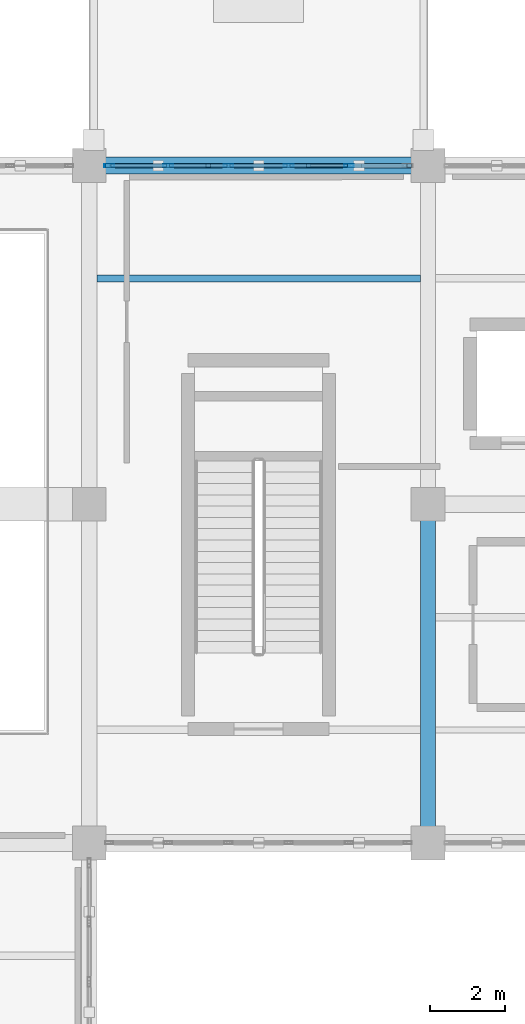
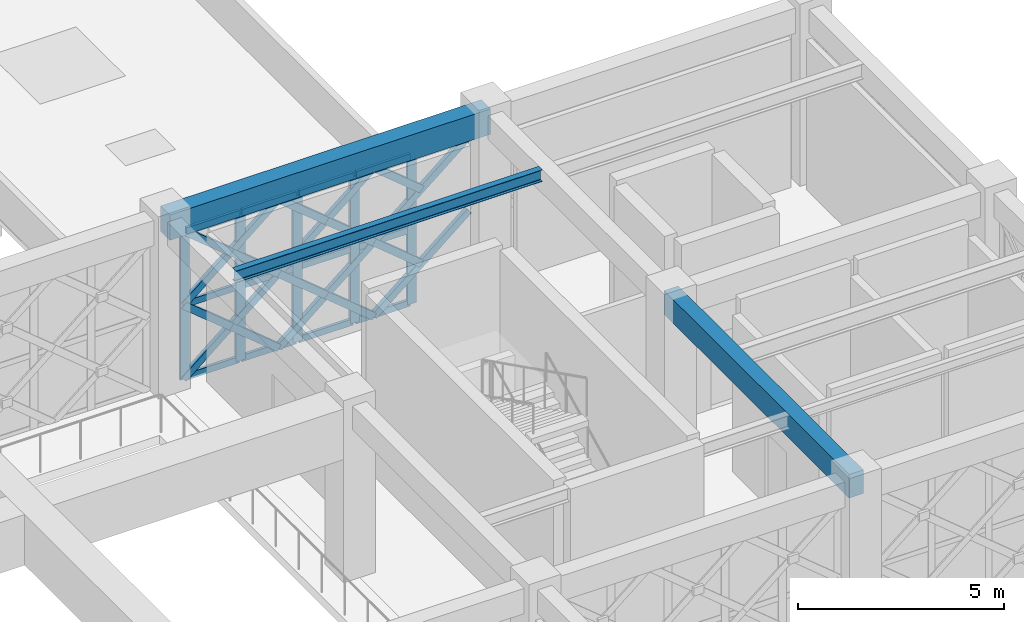
# One storey, part 99 of 155: 33 members, 3 beams, 1 element without a shape of its own.
"""IFC4 building model written with IfcOpenShell, lengths in metres."""

from ifc_helpers import new_model, si_unit, direction, frame, origin, origin_2d, place, context, subcontext, project, spatial, rectangle, hollow_rectangle, i_section, extrude, material, material_profile, profile_set, type_object, element, aggregate, save


model = new_model("IFC4")

# Units and contexts
model_context = context("Model", 3, precision=1e-05, world=origin(), true_north=direction((0.0, 1.0)))
body_context = subcontext(model_context, "Body", "Model", "MODEL_VIEW")
ifc_project = project(units=[si_unit("LENGTHUNIT", "METRE"), si_unit("AREAUNIT", "SQUARE_METRE"), si_unit("VOLUMEUNIT", "CUBIC_METRE"), si_unit("PLANEANGLEUNIT", "RADIAN"), si_unit("MASSUNIT", "GRAM", prefix="KILO")], contexts=[model_context])

# Site, building, storey
site_placement = place(None, origin())
site = spatial("IfcSite", under=ifc_project, at=site_placement, CompositionType="ELEMENT")
building_placement = place(site_placement, origin())
building = spatial("IfcBuilding", under=site, at=building_placement, Name="Haizhuo Lancet Aquarium", CompositionType="ELEMENT")
storey_placement = place(building_placement, frame((0.0, 0.0, 10.800048828125)))
storey = spatial("IfcBuildingStorey", under=building, at=storey_placement, Name="L02", CompositionType="ELEMENT", Elevation=10.800048828125)

# Beams
ifc_material_1 = material(Name="Concrete C40/50", Category="concrete")
ifc_material_profile_1 = material_profile(ifc_material_1, rectangle(XDim=0.39990234375, YDim=0.699951171875, at=origin_2d()), Name="RC-BM 400x700")
ifc_profile_set_1 = profile_set([ifc_material_profile_1], Name="Concrete C40/50")
beam_type_1 = type_object("IfcBeamType", Name="BM-RC-400x700", PredefinedType="BEAM", material=ifc_profile_set_1)
beam_1_placement = place(storey_placement, frame((63.0, -27.0, 4.81005859375), z_axis=(0.0, 1.0, 0.0), x_axis=(-1.0, 0.0, 0.0)))
element("IfcBeam", 1, at=beam_1_placement, inside=storey, type_object=beam_type_1, Name="L02 V3 primary girder BM-L02-V3-022", PredefinedType="BEAM", context=body_context, shape_type="SweptSolid", body=[
    extrude(rectangle(XDim=0.39990234375, YDim=0.699951171875, at=origin_2d()), origin(), (0.0, 0.0, 1.0), 9.0),
])
ifc_material_profile_2 = material_profile(ifc_material_1, rectangle(XDim=0.449951171875, YDim=0.75, at=origin_2d()), Name="RC-BM 450x750")
ifc_profile_set_2 = profile_set([ifc_material_profile_2], Name="Concrete C40/50")
beam_type_2 = type_object("IfcBeamType", Name="BM-RC-450x750", PredefinedType="BEAM", material=ifc_profile_set_2)
beam_2_placement = place(storey_placement, frame((54.0, -9.0, 4.784912109375), z_axis=(1.0, 0.0, 0.0), x_axis=(0.0, 1.0, 0.0)))
element("IfcBeam", 2, at=beam_2_placement, inside=storey, type_object=beam_type_2, Name="L02 V3 primary girder BM-L02-V3-021", PredefinedType="BEAM", context=body_context, shape_type="SweptSolid", body=[
    extrude(rectangle(XDim=0.449951171875, YDim=0.75, at=origin_2d()), origin(), (0.0, 0.0, 1.0), 9.0),
])

# Curtain wall, members
ifc_material_2 = material(Name="Aluminium 6063-T6", Category="aluminium")
curtain_wall_type = type_object("IfcCurtainWallType", Name="CWO-8010x4410", PredefinedType="NOTDEFINED", material=ifc_material_2)
curtain_wall_placement = place(storey_placement, origin())
curtain_wall = element("IfcCurtainWall", 3, at=curtain_wall_placement, inside=storey, type_object=curtain_wall_type, Name="L02 curtain wall CW-V3-L02-054", PredefinedType="NOTDEFINED")
ifc_material_profile_3 = material_profile(ifc_material_2, hollow_rectangle(XDim=0.080078125, YDim=0.260009765625, WallThickness=0.0048828125, at=origin_2d()), Name="ALU-M 80x260x5")
ifc_profile_set_3 = profile_set([ifc_material_profile_3], Name="Aluminium 6063-T6")
member_type_1 = type_object("IfcMemberType", Name="CW-MUL-3", PredefinedType="MULLION", material=ifc_profile_set_3)
member_1_placement = place(storey_placement, frame((54.534912109375, -9.0, 0.0), z_axis=(0.0, 0.0, 1.0), x_axis=(0.0, 1.0, 0.0)))
member_1 = element("IfcMember", 4, at=member_1_placement, type_object=member_type_1, Name="CWO-80x44 mullion 1", PredefinedType="MULLION", context=body_context, shape_type="SweptSolid", body=[
    extrude(hollow_rectangle(XDim=0.080078125, YDim=0.260009765625, WallThickness=0.0048828125, at=origin_2d()), origin(), (0.0, 0.0, 1.0), 4.409912109375),
])
member_2_placement = place(storey_placement, frame((56.096923828125, -9.0, 0.0), z_axis=(0.0, 0.0, 1.0), x_axis=(0.0, 1.0, 0.0)))
member_2 = element("IfcMember", 5, at=member_2_placement, type_object=member_type_1, Name="CWO-80x44 mullion 2", PredefinedType="MULLION", context=body_context, shape_type="SweptSolid", body=[
    extrude(hollow_rectangle(XDim=0.080078125, YDim=0.260009765625, WallThickness=0.0048828125, at=origin_2d()), origin(), (0.0, 0.0, 1.0), 4.409912109375),
])
member_3_placement = place(storey_placement, frame((57.698974609375, -9.0, 0.0), z_axis=(0.0, 0.0, 1.0), x_axis=(0.0, 1.0, 0.0)))
member_3 = element("IfcMember", 6, at=member_3_placement, type_object=member_type_1, Name="CWO-80x44 mullion 3", PredefinedType="MULLION", context=body_context, shape_type="SweptSolid", body=[
    extrude(hollow_rectangle(XDim=0.080078125, YDim=0.260009765625, WallThickness=0.0048828125, at=origin_2d()), origin(), (0.0, 0.0, 1.0), 4.409912109375),
])
member_4_placement = place(storey_placement, frame((59.301025390625, -9.0, 0.0), z_axis=(0.0, 0.0, 1.0), x_axis=(0.0, 1.0, 0.0)))
member_4 = element("IfcMember", 7, at=member_4_placement, type_object=member_type_1, Name="CWO-80x44 mullion 4", PredefinedType="MULLION", context=body_context, shape_type="SweptSolid", body=[
    extrude(hollow_rectangle(XDim=0.080078125, YDim=0.260009765625, WallThickness=0.0048828125, at=origin_2d()), origin(), (0.0, 0.0, 1.0), 4.409912109375),
])
member_5_placement = place(storey_placement, frame((60.903076171875, -9.0, 0.0), z_axis=(0.0, 0.0, 1.0), x_axis=(0.0, 1.0, 0.0)))
member_5 = element("IfcMember", 8, at=member_5_placement, type_object=member_type_1, Name="CWO-80x44 mullion 5", PredefinedType="MULLION", context=body_context, shape_type="SweptSolid", body=[
    extrude(hollow_rectangle(XDim=0.080078125, YDim=0.260009765625, WallThickness=0.0048828125, at=origin_2d()), origin(), (0.0, 0.0, 1.0), 4.409912109375),
])
ifc_material_profile_4 = material_profile(ifc_material_2, hollow_rectangle(XDim=0.080078125, YDim=0.18994140625, WallThickness=0.0048828125, at=origin_2d()), Name="ALU-T 80x190x5")
ifc_profile_set_4 = profile_set([ifc_material_profile_4], Name="Aluminium 6063-T6")
member_type_2 = type_object("IfcMemberType", Name="CW-TRN-3", PredefinedType="NOTDEFINED", material=ifc_profile_set_4)
member_6_placement = place(storey_placement, frame((54.574951171875, -9.0, 0.0400390625), z_axis=(1.0, 0.0, 0.0), x_axis=(0.0, 1.0, 0.0)))
member_6 = element("IfcMember", 9, at=member_6_placement, type_object=member_type_2, Name="CWO-80x44 transom 1.1", ObjectType="TRANSOM", PredefinedType="USERDEFINED", context=body_context, shape_type="SweptSolid", body=[
    extrude(hollow_rectangle(XDim=0.080078125, YDim=0.18994140625, WallThickness=0.0048828125, at=origin_2d()), origin(), (0.0, 0.0, 1.0), 1.48193359375),
])
member_7_placement = place(storey_placement, frame((54.574951171875, -9.0, 2.204833984375), z_axis=(1.0, 0.0, 0.0), x_axis=(0.0, 1.0, 0.0)))
member_7 = element("IfcMember", 10, at=member_7_placement, type_object=member_type_2, Name="CWO-80x44 transom 1.2", ObjectType="TRANSOM", PredefinedType="USERDEFINED", context=body_context, shape_type="SweptSolid", body=[
    extrude(hollow_rectangle(XDim=0.080078125, YDim=0.18994140625, WallThickness=0.0048828125, at=origin_2d()), origin(), (0.0, 0.0, 1.0), 1.48193359375),
])
member_8_placement = place(storey_placement, frame((54.574951171875, -9.0, 4.369873046875), z_axis=(1.0, 0.0, 0.0), x_axis=(0.0, 1.0, 0.0)))
member_8 = element("IfcMember", 11, at=member_8_placement, type_object=member_type_2, Name="CWO-80x44 transom 1.3", ObjectType="TRANSOM", PredefinedType="USERDEFINED", context=body_context, shape_type="SweptSolid", body=[
    extrude(hollow_rectangle(XDim=0.080078125, YDim=0.18994140625, WallThickness=0.0048828125, at=origin_2d()), origin(), (0.0, 0.0, 1.0), 1.48193359375),
])
member_9_placement = place(storey_placement, frame((56.136962890625, -9.0, 0.0400390625), z_axis=(1.0, 0.0, 0.0), x_axis=(0.0, 1.0, 0.0)))
member_9 = element("IfcMember", 12, at=member_9_placement, type_object=member_type_2, Name="CWO-80x44 transom 2.1", ObjectType="TRANSOM", PredefinedType="USERDEFINED", context=body_context, shape_type="SweptSolid", body=[
    extrude(hollow_rectangle(XDim=0.080078125, YDim=0.18994140625, WallThickness=0.0048828125, at=origin_2d()), origin(), (0.0, 0.0, 1.0), 1.52197265625),
])
member_10_placement = place(storey_placement, frame((56.136962890625, -9.0, 2.204833984375), z_axis=(1.0, 0.0, 0.0), x_axis=(0.0, 1.0, 0.0)))
member_10 = element("IfcMember", 13, at=member_10_placement, type_object=member_type_2, Name="CWO-80x44 transom 2.2", ObjectType="TRANSOM", PredefinedType="USERDEFINED", context=body_context, shape_type="SweptSolid", body=[
    extrude(hollow_rectangle(XDim=0.080078125, YDim=0.18994140625, WallThickness=0.0048828125, at=origin_2d()), origin(), (0.0, 0.0, 1.0), 1.52197265625),
])
member_11_placement = place(storey_placement, frame((56.136962890625, -9.0, 4.369873046875), z_axis=(1.0, 0.0, 0.0), x_axis=(0.0, 1.0, 0.0)))
member_11 = element("IfcMember", 14, at=member_11_placement, type_object=member_type_2, Name="CWO-80x44 transom 2.3", ObjectType="TRANSOM", PredefinedType="USERDEFINED", context=body_context, shape_type="SweptSolid", body=[
    extrude(hollow_rectangle(XDim=0.080078125, YDim=0.18994140625, WallThickness=0.0048828125, at=origin_2d()), origin(), (0.0, 0.0, 1.0), 1.52197265625),
])
member_12_placement = place(storey_placement, frame((57.739013671875, -9.0, 0.0400390625), z_axis=(1.0, 0.0, 0.0), x_axis=(0.0, 1.0, 0.0)))
member_12 = element("IfcMember", 15, at=member_12_placement, type_object=member_type_2, Name="CWO-80x44 transom 3.1", ObjectType="TRANSOM", PredefinedType="USERDEFINED", context=body_context, shape_type="SweptSolid", body=[
    extrude(hollow_rectangle(XDim=0.080078125, YDim=0.18994140625, WallThickness=0.0048828125, at=origin_2d()), origin(), (0.0, 0.0, 1.0), 1.52197265625),
])
member_13_placement = place(storey_placement, frame((57.739013671875, -9.0, 2.204833984375), z_axis=(1.0, 0.0, 0.0), x_axis=(0.0, 1.0, 0.0)))
member_13 = element("IfcMember", 16, at=member_13_placement, type_object=member_type_2, Name="CWO-80x44 transom 3.2", ObjectType="TRANSOM", PredefinedType="USERDEFINED", context=body_context, shape_type="SweptSolid", body=[
    extrude(hollow_rectangle(XDim=0.080078125, YDim=0.18994140625, WallThickness=0.0048828125, at=origin_2d()), origin(), (0.0, 0.0, 1.0), 1.52197265625),
])
member_14_placement = place(storey_placement, frame((57.739013671875, -9.0, 4.369873046875), z_axis=(1.0, 0.0, 0.0), x_axis=(0.0, 1.0, 0.0)))
member_14 = element("IfcMember", 17, at=member_14_placement, type_object=member_type_2, Name="CWO-80x44 transom 3.3", ObjectType="TRANSOM", PredefinedType="USERDEFINED", context=body_context, shape_type="SweptSolid", body=[
    extrude(hollow_rectangle(XDim=0.080078125, YDim=0.18994140625, WallThickness=0.0048828125, at=origin_2d()), origin(), (0.0, 0.0, 1.0), 1.52197265625),
])
member_15_placement = place(storey_placement, frame((59.341064453125, -9.0, 0.0400390625), z_axis=(1.0, 0.0, 0.0), x_axis=(0.0, 1.0, 0.0)))
member_15 = element("IfcMember", 18, at=member_15_placement, type_object=member_type_2, Name="CWO-80x44 transom 4.1", ObjectType="TRANSOM", PredefinedType="USERDEFINED", context=body_context, shape_type="SweptSolid", body=[
    extrude(hollow_rectangle(XDim=0.080078125, YDim=0.18994140625, WallThickness=0.0048828125, at=origin_2d()), origin(), (0.0, 0.0, 1.0), 1.52197265625),
])
member_16_placement = place(storey_placement, frame((59.341064453125, -9.0, 2.204833984375), z_axis=(1.0, 0.0, 0.0), x_axis=(0.0, 1.0, 0.0)))
member_16 = element("IfcMember", 19, at=member_16_placement, type_object=member_type_2, Name="CWO-80x44 transom 4.2", ObjectType="TRANSOM", PredefinedType="USERDEFINED", context=body_context, shape_type="SweptSolid", body=[
    extrude(hollow_rectangle(XDim=0.080078125, YDim=0.18994140625, WallThickness=0.0048828125, at=origin_2d()), origin(), (0.0, 0.0, 1.0), 1.52197265625),
])
member_17_placement = place(storey_placement, frame((59.341064453125, -9.0, 4.369873046875), z_axis=(1.0, 0.0, 0.0), x_axis=(0.0, 1.0, 0.0)))
member_17 = element("IfcMember", 20, at=member_17_placement, type_object=member_type_2, Name="CWO-80x44 transom 4.3", ObjectType="TRANSOM", PredefinedType="USERDEFINED", context=body_context, shape_type="SweptSolid", body=[
    extrude(hollow_rectangle(XDim=0.080078125, YDim=0.18994140625, WallThickness=0.0048828125, at=origin_2d()), origin(), (0.0, 0.0, 1.0), 1.52197265625),
])
aggregate(curtain_wall, [member_1, member_2, member_3, member_4, member_5, member_6, member_7, member_8, member_9, member_10, member_11, member_12, member_13, member_14, member_15, member_16, member_17])

# Beam
ifc_material_3 = material(Name="Steel S355", Category="steel")
ifc_material_profile_5 = material_profile(ifc_material_3, i_section(OverallWidth=0.175048828125, OverallDepth=0.35009765625, WebThickness=0.007080078125, FlangeThickness=0.010986328125, FilletRadius=0.013916015625, at=origin_2d()), Name="HN 350x175x7x11")
ifc_profile_set_5 = profile_set([ifc_material_profile_5], Name="Steel S355")
beam_type_3 = type_object("IfcBeamType", Name="JST-ST-HN350", PredefinedType="JOIST", material=ifc_profile_set_5)
beam_3_placement = place(storey_placement, frame((54.199951171875, -12.0, 4.98486328125), z_axis=(1.0, 0.0, 0.0), x_axis=(0.0, 1.0, 0.0)))
element("IfcBeam", 21, at=beam_3_placement, inside=storey, type_object=beam_type_3, Name="L02 V3 secondary floor joist 10", PredefinedType="JOIST", context=body_context, shape_type="SweptSolid", body=[
    extrude(i_section(OverallWidth=0.175048828125, OverallDepth=0.35009765625, WebThickness=0.007080078125, FlangeThickness=0.010986328125, FilletRadius=0.013916015625, at=origin_2d()), origin(), (0.0, 0.0, 1.0), 8.60009765625),
])

# Members
ifc_material_profile_6 = material_profile(ifc_material_3, hollow_rectangle(XDim=0.1201171875, YDim=0.199951171875, WallThickness=0.008056640625, at=origin_2d()), Name="RHS 120x200x8")
ifc_profile_set_6 = profile_set([ifc_material_profile_6], Name="Steel S355")
member_type_3 = type_object("IfcMemberType", Name="MEM-LB-RHS120x200", PredefinedType="BRACE", material=ifc_profile_set_6)
member_18_placement = place(storey_placement, frame((54.4951171875, -9.0, 0.0), z_axis=(0.771068610934, 0.0, 0.636752068887), x_axis=(0.0, 1.0, 0.0)))
element("IfcMember", 22, at=member_18_placement, inside=storey, type_object=member_type_3, Name="Gothic lancet continuous diagonal brace CW-V3-L02-054 1A", PredefinedType="BRACE", context=body_context, shape_type="SweptSolid", body=[
    extrude(hollow_rectangle(XDim=0.1201171875, YDim=0.199951171875, WallThickness=0.008056640625, at=origin_2d()), origin(), (0.0, 0.0, 1.0), 3.462646484375),
])
member_19_placement = place(storey_placement, frame((57.1650390625, -9.0, 0.0), z_axis=(-0.771172467693, 0.0, 0.63662628368), x_axis=(0.0, -1.0, 0.0)))
element("IfcMember", 23, at=member_19_placement, inside=storey, type_object=member_type_3, Name="Gothic lancet split diagonal brace CW-V3-L02-054 1B1", PredefinedType="BRACE", context=body_context, shape_type="SweptSolid", body=[
    extrude(hollow_rectangle(XDim=0.1201171875, YDim=0.199951171875, WallThickness=0.008056640625, at=origin_2d()), origin(), (0.0, 0.0, 1.0), 1.731201171875),
])
member_20_placement = place(storey_placement, frame((55.830078125, -9.0, 1.10205078125), z_axis=(-0.77096476164, 0.0, 0.636877803279), x_axis=(0.0, -1.0, 0.0)))
element("IfcMember", 24, at=member_20_placement, inside=storey, type_object=member_type_3, Name="Gothic lancet split diagonal brace CW-V3-L02-054 1B2", PredefinedType="BRACE", context=body_context, shape_type="SweptSolid", body=[
    extrude(hollow_rectangle(XDim=0.1201171875, YDim=0.199951171875, WallThickness=0.008056640625, at=origin_2d()), origin(), (0.0, 0.0, 1.0), 1.7314453125),
])
member_21_placement = place(storey_placement, frame((54.4951171875, -9.0, 2.204833984375), z_axis=(0.771033993673, 0.0, 0.636793985996), x_axis=(0.0, 1.0, 0.0)))
element("IfcMember", 25, at=member_21_placement, inside=storey, type_object=member_type_3, Name="Gothic lancet continuous diagonal brace CW-V3-L02-054 2A", PredefinedType="BRACE", context=body_context, shape_type="SweptSolid", body=[
    extrude(hollow_rectangle(XDim=0.1201171875, YDim=0.199951171875, WallThickness=0.008056640625, at=origin_2d()), origin(), (0.0, 0.0, 1.0), 3.462890625),
])
member_22_placement = place(storey_placement, frame((57.1650390625, -9.0, 2.204833984375), z_axis=(-0.770895532931, 0.0, 0.636961597985), x_axis=(0.0, -1.0, 0.0)))
element("IfcMember", 26, at=member_22_placement, inside=storey, type_object=member_type_3, Name="Gothic lancet split diagonal brace CW-V3-L02-054 2B1", PredefinedType="BRACE", context=body_context, shape_type="SweptSolid", body=[
    extrude(hollow_rectangle(XDim=0.1201171875, YDim=0.199951171875, WallThickness=0.008056640625, at=origin_2d()), origin(), (0.0, 0.0, 1.0), 1.731689453125),
])
member_23_placement = place(storey_placement, frame((55.830078125, -9.0, 3.307861328125), z_axis=(-0.771172467693, 0.0, 0.63662628368), x_axis=(0.0, -1.0, 0.0)))
element("IfcMember", 27, at=member_23_placement, inside=storey, type_object=member_type_3, Name="Gothic lancet split diagonal brace CW-V3-L02-054 2B2", PredefinedType="BRACE", context=body_context, shape_type="SweptSolid", body=[
    extrude(hollow_rectangle(XDim=0.1201171875, YDim=0.199951171875, WallThickness=0.008056640625, at=origin_2d()), origin(), (0.0, 0.0, 1.0), 1.731201171875),
])
member_24_placement = place(storey_placement, frame((57.1650390625, -9.0, 0.0), z_axis=(0.771068610934, 0.0, 0.636752068887), x_axis=(0.0, 1.0, 0.0)))
element("IfcMember", 28, at=member_24_placement, inside=storey, type_object=member_type_3, Name="Gothic lancet continuous diagonal brace CW-V3-L02-054 3A", PredefinedType="BRACE", context=body_context, shape_type="SweptSolid", body=[
    extrude(hollow_rectangle(XDim=0.1201171875, YDim=0.199951171875, WallThickness=0.008056640625, at=origin_2d()), origin(), (0.0, 0.0, 1.0), 3.462646484375),
])
member_25_placement = place(storey_placement, frame((59.8349609375, -9.0, 0.0), z_axis=(-0.771172467693, 0.0, 0.63662628368), x_axis=(0.0, -1.0, 0.0)))
element("IfcMember", 29, at=member_25_placement, inside=storey, type_object=member_type_3, Name="Gothic lancet split diagonal brace CW-V3-L02-054 3B1", PredefinedType="BRACE", context=body_context, shape_type="SweptSolid", body=[
    extrude(hollow_rectangle(XDim=0.1201171875, YDim=0.199951171875, WallThickness=0.008056640625, at=origin_2d()), origin(), (0.0, 0.0, 1.0), 1.731201171875),
])
member_26_placement = place(storey_placement, frame((58.5, -9.0, 1.10205078125), z_axis=(-0.77096476164, 0.0, 0.636877803279), x_axis=(0.0, -1.0, 0.0)))
element("IfcMember", 30, at=member_26_placement, inside=storey, type_object=member_type_3, Name="Gothic lancet split diagonal brace CW-V3-L02-054 3B2", PredefinedType="BRACE", context=body_context, shape_type="SweptSolid", body=[
    extrude(hollow_rectangle(XDim=0.1201171875, YDim=0.199951171875, WallThickness=0.008056640625, at=origin_2d()), origin(), (0.0, 0.0, 1.0), 1.7314453125),
])
member_27_placement = place(storey_placement, frame((57.1650390625, -9.0, 2.204833984375), z_axis=(0.771033993673, 0.0, 0.636793985996), x_axis=(0.0, 1.0, 0.0)))
element("IfcMember", 31, at=member_27_placement, inside=storey, type_object=member_type_3, Name="Gothic lancet continuous diagonal brace CW-V3-L02-054 4A", PredefinedType="BRACE", context=body_context, shape_type="SweptSolid", body=[
    extrude(hollow_rectangle(XDim=0.1201171875, YDim=0.199951171875, WallThickness=0.008056640625, at=origin_2d()), origin(), (0.0, 0.0, 1.0), 3.462890625),
])
member_28_placement = place(storey_placement, frame((59.8349609375, -9.0, 2.204833984375), z_axis=(-0.770895532931, 0.0, 0.636961597985), x_axis=(0.0, -1.0, 0.0)))
element("IfcMember", 32, at=member_28_placement, inside=storey, type_object=member_type_3, Name="Gothic lancet split diagonal brace CW-V3-L02-054 4B1", PredefinedType="BRACE", context=body_context, shape_type="SweptSolid", body=[
    extrude(hollow_rectangle(XDim=0.1201171875, YDim=0.199951171875, WallThickness=0.008056640625, at=origin_2d()), origin(), (0.0, 0.0, 1.0), 1.731689453125),
])
member_29_placement = place(storey_placement, frame((58.5, -9.0, 3.307861328125), z_axis=(-0.771172467693, 0.0, 0.63662628368), x_axis=(0.0, -1.0, 0.0)))
element("IfcMember", 33, at=member_29_placement, inside=storey, type_object=member_type_3, Name="Gothic lancet split diagonal brace CW-V3-L02-054 4B2", PredefinedType="BRACE", context=body_context, shape_type="SweptSolid", body=[
    extrude(hollow_rectangle(XDim=0.1201171875, YDim=0.199951171875, WallThickness=0.008056640625, at=origin_2d()), origin(), (0.0, 0.0, 1.0), 1.731201171875),
])
member_30_placement = place(storey_placement, frame((59.8349609375, -9.0, 0.0), z_axis=(0.771068610934, 0.0, 0.636752068887), x_axis=(0.0, 1.0, 0.0)))
element("IfcMember", 34, at=member_30_placement, inside=storey, type_object=member_type_3, Name="Gothic lancet continuous diagonal brace CW-V3-L02-054 5A", PredefinedType="BRACE", context=body_context, shape_type="SweptSolid", body=[
    extrude(hollow_rectangle(XDim=0.1201171875, YDim=0.199951171875, WallThickness=0.008056640625, at=origin_2d()), origin(), (0.0, 0.0, 1.0), 3.462646484375),
])
member_31_placement = place(storey_placement, frame((61.169921875, -9.0, 1.10205078125), z_axis=(-0.77096476164, 0.0, 0.636877803279), x_axis=(0.0, -1.0, 0.0)))
element("IfcMember", 35, at=member_31_placement, inside=storey, type_object=member_type_3, Name="Gothic lancet split diagonal brace CW-V3-L02-054 5B2", PredefinedType="BRACE", context=body_context, shape_type="SweptSolid", body=[
    extrude(hollow_rectangle(XDim=0.1201171875, YDim=0.199951171875, WallThickness=0.008056640625, at=origin_2d()), origin(), (0.0, 0.0, 1.0), 1.7314453125),
])
member_32_placement = place(storey_placement, frame((59.8349609375, -9.0, 2.204833984375), z_axis=(0.771033993673, 0.0, 0.636793985996), x_axis=(0.0, 1.0, 0.0)))
element("IfcMember", 36, at=member_32_placement, inside=storey, type_object=member_type_3, Name="Gothic lancet continuous diagonal brace CW-V3-L02-054 6A", PredefinedType="BRACE", context=body_context, shape_type="SweptSolid", body=[
    extrude(hollow_rectangle(XDim=0.1201171875, YDim=0.199951171875, WallThickness=0.008056640625, at=origin_2d()), origin(), (0.0, 0.0, 1.0), 3.462890625),
])
member_33_placement = place(storey_placement, frame((61.169921875, -9.0, 3.307861328125), z_axis=(-0.771172467693, 0.0, 0.63662628368), x_axis=(0.0, -1.0, 0.0)))
element("IfcMember", 37, at=member_33_placement, inside=storey, type_object=member_type_3, Name="Gothic lancet split diagonal brace CW-V3-L02-054 6B2", PredefinedType="BRACE", context=body_context, shape_type="SweptSolid", body=[
    extrude(hollow_rectangle(XDim=0.1201171875, YDim=0.199951171875, WallThickness=0.008056640625, at=origin_2d()), origin(), (0.0, 0.0, 1.0), 1.731201171875),
])

save(model, "model.ifc")
